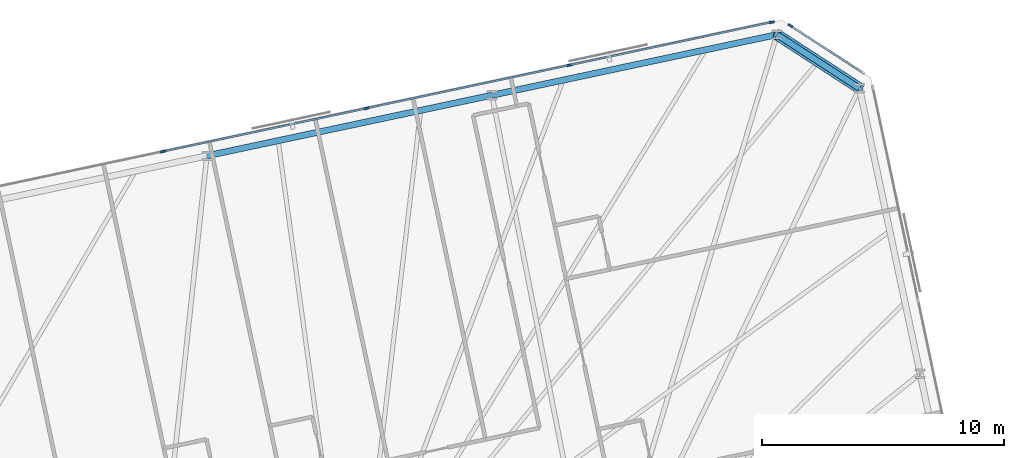
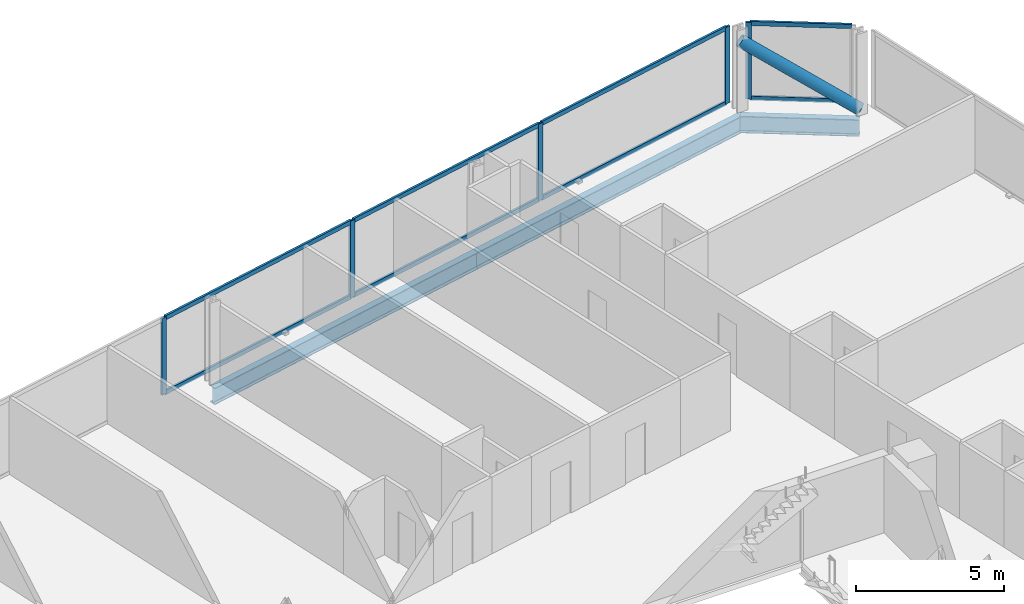
# One storey, part 11 of 21: 14 members, 3 beams, 2 elements without a shape of their own.
"""IFC4 building model written with IfcOpenShell, lengths in metres."""

import ifcopenshell
import ifcopenshell.guid

model = None  # the IFC model being written
_history = None  # IfcOwnerHistory: only IFC2X3 demands one
_inside = {}  # id of a spatial element -> (the spatial element, [elements in it])
_under = {}  # id of a project, library or spatial element -> (it, [spatial elements below it])
_declared = {}  # id of a project -> (the project, [libraries it declares])
_typed = {}  # id of a type object -> (the type object, [elements of that type])
_made_of = {}  # id of a material, layer set ... -> (it, [elements and type objects made of it])


def new_model(schema):
    """Start an empty IFC model of exactly this schema.

    Asked for "IFC4X3", IfcOpenShell would pick the latest addendum, in which some entities
    have other attributes; the version numbers below select the first issue.
    IFC2X3 requires an IfcOwnerHistory on every rooted entity: one is made here for all.
    """
    global model, _history
    if schema == "IFC4X3":
        model = ifcopenshell.file(schema_version=(4, 3, 0, 0))
    else:
        model = ifcopenshell.file(schema=schema)
    _inside.clear()
    _under.clear()
    _declared.clear()
    _typed.clear()
    _made_of.clear()
    _history = None
    if model.schema == "IFC2X3":
        org = make("IfcOrganization", Name="unknown")
        user = make(
            "IfcPersonAndOrganization",
            ThePerson=make("IfcPerson", FamilyName="unknown"),
            TheOrganization=org,
        )
        app = make(
            "IfcApplication",
            ApplicationDeveloper=org,
            Version="unknown",
            ApplicationFullName="unknown",
            ApplicationIdentifier="unknown",
        )
        _history = make(
            "IfcOwnerHistory",
            OwningUser=user,
            OwningApplication=app,
            ChangeAction="ADDED",
            CreationDate=0,
        )
    return model


def make(cls, **values):
    """One entity of the class cls with the attributes given. An attribute that is None is left unset."""
    return model.create_entity(
        cls, **{name: value for name, value in values.items() if value is not None}
    )


def rooted(cls, **values):
    """An entity with a GlobalId (a new one), such as an element, a storey or a relation."""
    return make(cls, GlobalId=ifcopenshell.guid.new(), OwnerHistory=_history, **values)


def si_unit(unit_type, name, prefix=None):
    """IfcSIUnit, for example si_unit("LENGTHUNIT", "METRE", prefix="MILLI")."""
    return make("IfcSIUnit", UnitType=unit_type, Prefix=prefix, Name=name)


def assignment(units):
    """IfcUnitAssignment: the units of a project."""
    return None if units is None else make("IfcUnitAssignment", Units=units)


def point(xyz):
    """IfcCartesianPoint."""
    return None if xyz is None else make("IfcCartesianPoint", Coordinates=xyz)


def direction(xyz):
    """IfcDirection."""
    return None if xyz is None else make("IfcDirection", DirectionRatios=xyz)


def frame(location, z_axis=None, x_axis=None):
    """IfcAxis2Placement3D, a coordinate frame: its origin and axes. An axis left out is left unset."""
    return make(
        "IfcAxis2Placement3D",
        Location=point(location),
        Axis=direction(z_axis),
        RefDirection=direction(x_axis),
    )


def frame_2d(location, x_axis=None):
    """IfcAxis2Placement2D, a coordinate frame in the plane: its origin and x axis."""
    return make(
        "IfcAxis2Placement2D", Location=point(location), RefDirection=direction(x_axis)
    )


def origin():
    """The frame at (0, 0, 0) with its axes left unset."""
    return frame((0.0, 0.0, 0.0))


def origin_2d():
    """The frame at (0, 0) in the plane with its x axis left unset."""
    return frame_2d((0.0, 0.0))


def place(relative_to, where):
    """IfcLocalPlacement: puts the frame where relative to a parent placement (None: the world)."""
    return make(
        "IfcLocalPlacement", PlacementRelTo=relative_to, RelativePlacement=where
    )


def context(
    kind, dimensions, precision=None, world=None, true_north=None, identifier=None
):
    """IfcGeometricRepresentationContext, for example the 3D "Model" context."""
    return make(
        "IfcGeometricRepresentationContext",
        ContextIdentifier=identifier,
        ContextType=kind,
        CoordinateSpaceDimension=dimensions,
        Precision=precision,
        WorldCoordinateSystem=world,
        TrueNorth=true_north,
    )


def subcontext(parent, identifier, kind, view, scale=None):
    """IfcGeometricRepresentationSubContext, for example "Body" below "Model"."""
    return make(
        "IfcGeometricRepresentationSubContext",
        ContextIdentifier=identifier,
        ContextType=kind,
        ParentContext=parent,
        TargetScale=scale,
        TargetView=view,
    )


def project(units=None, contexts=None):
    """IfcProject with its units and contexts."""
    return rooted(
        "IfcProject",
        Name="project",
        RepresentationContexts=contexts,
        UnitsInContext=assignment(units),
    )


def spatial(cls, under=None, at=None, **own):
    """A site, building, storey or space (cls), placed at a placement, below another one or the project."""
    s = rooted(cls, ObjectPlacement=at, **own)
    if under is not None:
        _under.setdefault(under.id(), (under, []))[1].append(s)
    return s


def profile(cls, at=None, kind="AREA", **sizes):
    """A parametric profile (cls). Its sizes go by their IFC names, for example OverallWidth=200.0."""
    return make(cls, ProfileType=kind, Position=at, **sizes)


def rectangle(**sizes):
    """IfcRectangleProfileDef."""
    return profile("IfcRectangleProfileDef", **sizes)


def hollow_circle(**sizes):
    """IfcCircleHollowProfileDef."""
    return profile("IfcCircleHollowProfileDef", **sizes)


def i_section(**sizes):
    """IfcIShapeProfileDef."""
    return profile("IfcIShapeProfileDef", **sizes)


def extrude(swept, where, along, depth):
    """IfcExtrudedAreaSolid: the profile swept, set in the frame where, extruded along a direction by depth."""
    return make(
        "IfcExtrudedAreaSolid",
        SweptArea=swept,
        Position=where,
        ExtrudedDirection=direction(along),
        Depth=depth,
    )


def shape(context_of_items, identifier, shape_type, items):
    """IfcShapeRepresentation: the items that make up one representation, for example the "Body"."""
    return make(
        "IfcShapeRepresentation",
        ContextOfItems=context_of_items,
        RepresentationIdentifier=identifier,
        RepresentationType=shape_type,
        Items=items,
    )


def material(Name=None, Category=None):
    """IfcMaterial."""
    return make("IfcMaterial", Name=Name, Category=Category)


def material_profile(
    of_material, cross_section, Name=None, Category=None, Priority=None
):
    """IfcMaterialProfile: a cross section and its material."""
    return make(
        "IfcMaterialProfile",
        Name=Name,
        Material=of_material,
        Profile=cross_section,
        Priority=Priority,
        Category=Category,
    )


def profile_set(profiles, Name=None, composite=None):
    """IfcMaterialProfileSet."""
    return make(
        "IfcMaterialProfileSet",
        Name=Name,
        MaterialProfiles=profiles,
        CompositeProfile=composite,
    )


def made_of(thing, what):
    """Note that an element or type object is made of a material, layer set ...; save() writes the relation."""
    if what is not None:
        _made_of.setdefault(what.id(), (what, []))[1].append(thing)
    return thing


def type_object(cls, material=None, **own):
    """A type object (cls), such as IfcWallType, which elements share."""
    return made_of(rooted(cls, **own), material)


def element(
    cls,
    number,
    at=None,
    inside=None,
    cuts=None,
    type_object=None,
    material=None,
    context=None,
    identifier="Body",
    shape_type=None,
    held_by="IfcProductDefinitionShape",
    body=None,
    shapes=None,
    **own,
):
    """One element of the class cls, such as IfcWall. Its Tag is "e" and its number.

    at: its placement. inside: the storey or other place that contains it. cuts: it is an
    opening in that element (IfcRelVoidsElement). A single representation is given by context,
    identifier, shape_type and body (its items); several are given by shapes. held_by: the class
    of the entity that holds the representations. save() writes the other relations.
    """
    e = rooted(cls, Tag="e%d" % number, ObjectPlacement=at, **own)
    if body is not None:
        shapes = [shape(context, identifier, shape_type, body)]
    if shapes is not None:
        e.Representation = make(held_by, Representations=shapes)
    if inside is not None:
        _inside.setdefault(inside.id(), (inside, []))[1].append(e)
    if cuts is not None:
        rooted(
            "IfcRelVoidsElement", RelatingBuildingElement=cuts, RelatedOpeningElement=e
        )
    if type_object is not None:
        _typed.setdefault(type_object.id(), (type_object, []))[1].append(e)
    return made_of(e, material)


def aggregate(whole, parts):
    """IfcRelAggregates: a whole, such as a stair, and the parts it consists of."""
    return rooted("IfcRelAggregates", RelatingObject=whole, RelatedObjects=parts)


def save(model, path):
    """Write the relations noted so far, then the file.

    IfcRelAggregates (storeys below a building ...), IfcRelContainedInSpatialStructure (elements
    in a storey), IfcRelDefinesByType, IfcRelAssociatesMaterial and IfcRelDeclares: one each for
    every whole, place, type object, material and project.
    """
    for whole, parts in _under.values():
        aggregate(whole, parts)
    for where, things in _inside.values():
        rooted(
            "IfcRelContainedInSpatialStructure",
            RelatedElements=things,
            RelatingStructure=where,
        )
    for kind, things in _typed.values():
        rooted("IfcRelDefinesByType", RelatedObjects=things, RelatingType=kind)
    for what, things in _made_of.values():
        rooted("IfcRelAssociatesMaterial", RelatedObjects=things, RelatingMaterial=what)
    for by, libraries in _declared.values():
        rooted("IfcRelDeclares", RelatingContext=by, RelatedDefinitions=libraries)
    model.write(path)


model = new_model("IFC4")

# Units and contexts
model_context = context("Model", 3, precision=1e-05, world=origin(), true_north=direction((0.0, 1.0)))
body_context = subcontext(model_context, "Body", "Model", "MODEL_VIEW")
ifc_project = project(units=[si_unit("LENGTHUNIT", "METRE"), si_unit("AREAUNIT", "SQUARE_METRE"), si_unit("VOLUMEUNIT", "CUBIC_METRE"), si_unit("PLANEANGLEUNIT", "RADIAN"), si_unit("MASSUNIT", "GRAM", prefix="KILO")], contexts=[model_context])

# Site, building, storey
site_placement = place(None, origin())
site = spatial("IfcSite", under=ifc_project, at=site_placement, CompositionType="ELEMENT")
building_placement = place(site_placement, origin())
building = spatial("IfcBuilding", under=site, at=building_placement, Name="Menara Jurai Vektor", CompositionType="ELEMENT")
storey_placement = place(building_placement, frame((0.0, 0.0, 165.0)))
storey = spatial("IfcBuildingStorey", under=building, at=storey_placement, Name="L42", CompositionType="ELEMENT", Elevation=165.0)

# Curtain wall, member
ifc_material_1 = material(Name="Anodised Pale Aluminium & Low-E Double Glazing", Category="aluminium")
curtain_wall_type = type_object("IfcCurtainWallType", Name="CW-BLK3", PredefinedType="NOTDEFINED", material=ifc_material_1)
curtain_wall_1_placement = place(storey_placement, origin())
curtain_wall_1 = element("IfcCurtainWall", 1, at=curtain_wall_1_placement, inside=storey, type_object=curtain_wall_type, Name="Unitised Curtain Wall L42 F04", PredefinedType="NOTDEFINED")
ifc_material_2 = material(Name="Anodised Pale Aluminium Mullion", Category="aluminium")
ifc_material_profile_1 = material_profile(ifc_material_2, rectangle(XDim=0.0849609375, YDim=0.205078125, at=origin_2d()), Name="ALU MUL 85x205")
ifc_profile_set_1 = profile_set([ifc_material_profile_1], Name="Anodised Pale Aluminium Mullion")
member_type_1 = type_object("IfcMemberType", Name="CW-BLK3-MUL", PredefinedType="MULLION", material=ifc_profile_set_1)
member_1_placement = place(storey_placement, frame((23.219970703125, 29.920654296875, 0.0), z_axis=(0.0, 0.0, 1.0), x_axis=(-0.544617794346, -0.838684361415, 0.0)))
member_1 = element("IfcMember", 2, at=member_1_placement, type_object=member_type_1, Name="CW-03 mullion 2", PredefinedType="MULLION", context=body_context, shape_type="SweptSolid", body=[
    extrude(rectangle(XDim=0.0849609375, YDim=0.205078125, at=origin_2d()), origin(), (0.0, 0.0, 1.0), 3.175048828125),
])

# Curtain wall, members
curtain_wall_2_placement = place(storey_placement, origin())
curtain_wall_2 = element("IfcCurtainWall", 3, at=curtain_wall_2_placement, inside=storey, type_object=curtain_wall_type, Name="Unitised Curtain Wall L42 F05", PredefinedType="NOTDEFINED")
member_2_placement = place(storey_placement, frame((22.452392578125, 30.062744140625, 0.0), z_axis=(0.0, 0.0, 1.0), x_axis=(0.207911344156, -0.978147674419, 0.0)))
member_2 = element("IfcMember", 4, at=member_2_placement, type_object=member_type_1, Name="CW-03 mullion 1", PredefinedType="MULLION", context=body_context, shape_type="SweptSolid", body=[
    extrude(rectangle(XDim=0.0849609375, YDim=0.205078125, at=origin_2d()), origin(), (0.0, 0.0, 1.0), 3.175048828125),
])
member_3_placement = place(storey_placement, frame((14.104248046875, 28.288330078125, 0.0), z_axis=(0.0, 0.0, 1.0), x_axis=(0.207911344156, -0.978147674419, 0.0)))
member_3 = element("IfcMember", 5, at=member_3_placement, type_object=member_type_1, Name="CW-03 mullion 2", PredefinedType="MULLION", context=body_context, shape_type="SweptSolid", body=[
    extrude(rectangle(XDim=0.0849609375, YDim=0.205078125, at=origin_2d()), origin(), (0.0, 0.0, 1.0), 3.175048828125),
])
member_4_placement = place(storey_placement, frame((5.71435546875, 26.505126953125, 0.0), z_axis=(0.0, 0.0, 1.0), x_axis=(0.207911344156, -0.978147674419, 0.0)))
member_4 = element("IfcMember", 6, at=member_4_placement, type_object=member_type_1, Name="CW-03 mullion 3", PredefinedType="MULLION", context=body_context, shape_type="SweptSolid", body=[
    extrude(rectangle(XDim=0.0849609375, YDim=0.205078125, at=origin_2d()), origin(), (0.0, 0.0, 1.0), 3.175048828125),
])
member_5_placement = place(storey_placement, frame((-2.67529296875, 24.721923828125, 0.0), z_axis=(0.0, 0.0, 1.0), x_axis=(0.207911344156, -0.978147674419, 0.0)))
member_5 = element("IfcMember", 7, at=member_5_placement, type_object=member_type_1, Name="CW-03 mullion 4", PredefinedType="MULLION", context=body_context, shape_type="SweptSolid", body=[
    extrude(rectangle(XDim=0.0849609375, YDim=0.205078125, at=origin_2d()), origin(), (0.0, 0.0, 1.0), 3.175048828125),
])

# Member
ifc_material_3 = material(Name="Anodised Pale Aluminium Transom", Category="aluminium")
ifc_material_profile_2 = material_profile(ifc_material_3, rectangle(XDim=0.0849609375, YDim=0.175048828125, at=origin_2d()), Name="ALU TRN 85x175")
ifc_profile_set_2 = profile_set([ifc_material_profile_2], Name="Anodised Pale Aluminium Transom")
member_type_2 = type_object("IfcMemberType", Name="CW-BLK3-TRN", PredefinedType="USERDEFINED", material=ifc_profile_set_2)
member_6_placement = place(storey_placement, frame((26.15234375, 28.016357421875, 0.04248046875), z_axis=(-0.83867770631, 0.54462804274, 0.0), x_axis=(-0.54462804274, -0.83867770631, 0.0)))
member_6 = element("IfcMember", 8, at=member_6_placement, type_object=member_type_2, Name="CW-03 transom 1.1", ObjectType="TRANSOM", PredefinedType="USERDEFINED", context=body_context, shape_type="SweptSolid", body=[
    extrude(rectangle(XDim=0.0849609375, YDim=0.175048828125, at=origin_2d()), origin(), (0.0, 0.0, 1.0), 3.453857421875),
])

member_7_placement = place(storey_placement, frame((26.15234375, 28.016357421875, 3.132568359375), z_axis=(-0.83867770631, 0.54462804274, 0.0), x_axis=(-0.54462804274, -0.83867770631, 0.0)))
member_7 = element("IfcMember", 9, at=member_7_placement, type_object=member_type_2, Name="CW-03 transom 1.2", ObjectType="TRANSOM", PredefinedType="USERDEFINED", context=body_context, shape_type="SweptSolid", body=[
    extrude(rectangle(XDim=0.0849609375, YDim=0.175048828125, at=origin_2d()), origin(), (0.0, 0.0, 1.0), 3.453857421875),
])

aggregate(curtain_wall_1, [member_1, member_6, member_7])

member_8_placement = place(storey_placement, frame((22.41064453125, 30.053955078125, 0.04248046875), z_axis=(-0.978151580361, -0.207892967261, 0.0), x_axis=(0.207892967261, -0.978151580361, 0.0)))
member_8 = element("IfcMember", 10, at=member_8_placement, type_object=member_type_2, Name="CW-03 transom 1.1", ObjectType="TRANSOM", PredefinedType="USERDEFINED", context=body_context, shape_type="SweptSolid", body=[
    extrude(rectangle(XDim=0.0849609375, YDim=0.175048828125, at=origin_2d()), origin(), (0.0, 0.0, 1.0), 8.449462890625),
])

member_9_placement = place(storey_placement, frame((22.41064453125, 30.053955078125, 3.132568359375), z_axis=(-0.978151580361, -0.207892967261, 0.0), x_axis=(0.207892967261, -0.978151580361, 0.0)))
member_9 = element("IfcMember", 11, at=member_9_placement, type_object=member_type_2, Name="CW-03 transom 1.2", ObjectType="TRANSOM", PredefinedType="USERDEFINED", context=body_context, shape_type="SweptSolid", body=[
    extrude(rectangle(XDim=0.0849609375, YDim=0.175048828125, at=origin_2d()), origin(), (0.0, 0.0, 1.0), 8.449462890625),
])

member_10_placement = place(storey_placement, frame((14.0625, 28.279541015625, 0.04248046875), z_axis=(-0.978146500933, -0.207916864907, 0.0), x_axis=(0.207916864907, -0.978146500933, 0.0)))
member_10 = element("IfcMember", 12, at=member_10_placement, type_object=member_type_2, Name="CW-03 transom 2.1", ObjectType="TRANSOM", PredefinedType="USERDEFINED", context=body_context, shape_type="SweptSolid", body=[
    extrude(rectangle(XDim=0.0849609375, YDim=0.175048828125, at=origin_2d()), origin(), (0.0, 0.0, 1.0), 8.491943359375),
])

member_11_placement = place(storey_placement, frame((14.0625, 28.279541015625, 3.132568359375), z_axis=(-0.978146500933, -0.207916864907, 0.0), x_axis=(0.207916864907, -0.978146500933, 0.0)))
member_11 = element("IfcMember", 13, at=member_11_placement, type_object=member_type_2, Name="CW-03 transom 2.2", ObjectType="TRANSOM", PredefinedType="USERDEFINED", context=body_context, shape_type="SweptSolid", body=[
    extrude(rectangle(XDim=0.0849609375, YDim=0.175048828125, at=origin_2d()), origin(), (0.0, 0.0, 1.0), 8.491943359375),
])

member_12_placement = place(storey_placement, frame((5.6728515625, 26.496337890625, 0.04248046875), z_axis=(-0.978147743708, -0.207911018178, 0.0), x_axis=(0.207911018178, -0.978147743708, 0.0)))
member_12 = element("IfcMember", 14, at=member_12_placement, type_object=member_type_2, Name="CW-03 transom 3.1", ObjectType="TRANSOM", PredefinedType="USERDEFINED", context=body_context, shape_type="SweptSolid", body=[
    extrude(rectangle(XDim=0.0849609375, YDim=0.175048828125, at=origin_2d()), origin(), (0.0, 0.0, 1.0), 8.4921875),
])

member_13_placement = place(storey_placement, frame((5.6728515625, 26.496337890625, 3.132568359375), z_axis=(-0.978147743708, -0.207911018178, 0.0), x_axis=(0.207911018178, -0.978147743708, 0.0)))
member_13 = element("IfcMember", 15, at=member_13_placement, type_object=member_type_2, Name="CW-03 transom 3.2", ObjectType="TRANSOM", PredefinedType="USERDEFINED", context=body_context, shape_type="SweptSolid", body=[
    extrude(rectangle(XDim=0.0849609375, YDim=0.175048828125, at=origin_2d()), origin(), (0.0, 0.0, 1.0), 8.4921875),
])

aggregate(curtain_wall_2, [member_2, member_3, member_4, member_5, member_8, member_9, member_10, member_11, member_12, member_13])

ifc_material_4 = material(Name="Steel S460", Category="steel")
ifc_material_profile_3 = material_profile(ifc_material_4, hollow_circle(Radius=0.228515625, WallThickness=0.01611328125, at=origin_2d()), Name="CHS 457x16")
ifc_profile_set_3 = profile_set([ifc_material_profile_3], Name="Steel S460")
member_type_3 = type_object("IfcMemberType", Name="STR-BR-457", PredefinedType="BRACE", material=ifc_profile_set_3)
member_14_placement = place(storey_placement, frame((26.0712890625, 27.33349609375, 0.14990234375), z_axis=(-0.700418818423, 0.454848055166, 0.550024295382), x_axis=(-0.544631249681, -0.838675623749, 0.0)))
element("IfcMember", 16, at=member_14_placement, inside=storey, type_object=member_type_3, Name="Exoskeleton Corner Brace L42-2", PredefinedType="BRACE", context=body_context, shape_type="SweptSolid", body=[
    extrude(hollow_circle(Radius=0.228515625, WallThickness=0.01611328125, at=origin_2d()), origin(), (0.0, 0.0, 1.0), 4.863525390625),
])

# Beams
ifc_material_profile_4 = material_profile(ifc_material_4, i_section(OverallWidth=0.256103515625, OverallDepth=0.693115234375, WebThickness=0.013916015625, FlangeThickness=0.02392578125, FilletRadius=0.014892578125, at=origin_2d()), Name="UKB 686x254x170")
ifc_profile_set_4 = profile_set([ifc_material_profile_4], Name="Steel S460")
beam_type = type_object("IfcBeamType", Name="STR-SP-686", PredefinedType="SPANDREL", material=ifc_profile_set_4)
beam_1_placement = place(storey_placement, frame((26.0712890625, 27.33349609375, -0.571533203125), z_axis=(-0.838675623749, 0.544631249681, 0.0), x_axis=(-0.544631249681, -0.838675623749, 0.0)))
element("IfcBeam", 17, at=beam_1_placement, inside=storey, type_object=beam_type, Name="Exoskeleton Spandrel Beam L42-10", PredefinedType="SPANDREL", context=body_context, shape_type="SweptSolid", body=[
    extrude(i_section(OverallWidth=0.256103515625, OverallDepth=0.693115234375, WebThickness=0.013916015625, FlangeThickness=0.02392578125, FilletRadius=0.014892578125, at=origin_2d()), origin(), (0.0, 0.0, 1.0), 4.061767578125),
])
beam_2_placement = place(storey_placement, frame((22.664794921875, 29.545654296875, -0.571533203125), z_axis=(-0.978147039247, -0.207914332389, 0.0), x_axis=(0.207914332389, -0.978147039247, 0.0)))
element("IfcBeam", 18, at=beam_2_placement, inside=storey, type_object=beam_type, Name="Exoskeleton Spandrel Beam L42-11", PredefinedType="SPANDREL", context=body_context, shape_type="SweptSolid", body=[
    extrude(i_section(OverallWidth=0.256103515625, OverallDepth=0.693115234375, WebThickness=0.013916015625, FlangeThickness=0.02392578125, FilletRadius=0.014892578125, at=origin_2d()), origin(), (0.0, 0.0, 1.0), 12.03125),
])
beam_3_placement = place(storey_placement, frame((10.896484375, 27.044189453125, -0.571533203125), z_axis=(-0.978150288855, -0.207899043801, 0.0), x_axis=(0.207899043801, -0.978150288855, 0.0)))
element("IfcBeam", 19, at=beam_3_placement, inside=storey, type_object=beam_type, Name="Exoskeleton Spandrel Beam L42-12", PredefinedType="SPANDREL", context=body_context, shape_type="SweptSolid", body=[
    extrude(i_section(OverallWidth=0.256103515625, OverallDepth=0.693115234375, WebThickness=0.013916015625, FlangeThickness=0.02392578125, FilletRadius=0.014892578125, at=origin_2d()), origin(), (0.0, 0.0, 1.0), 12.031005859375),
])

save(model, "model.ifc")
